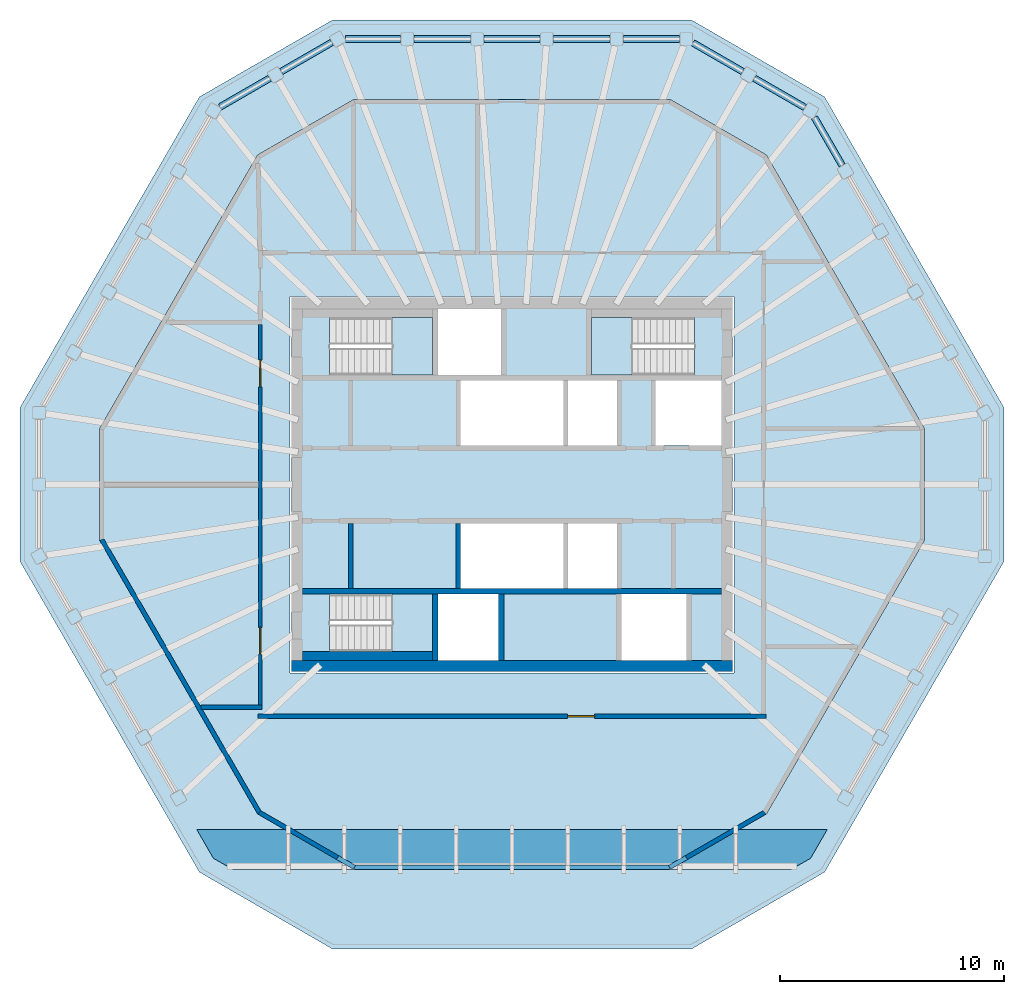
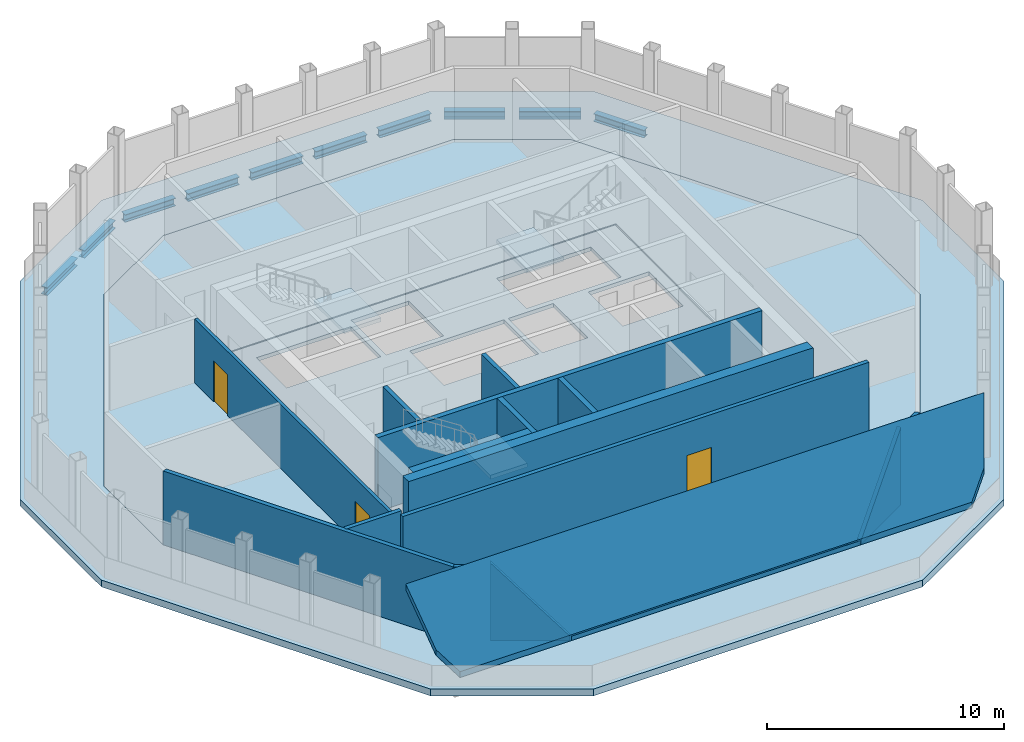
# One storey, part 2 of 5: 16 walls, 10 beams, 7 slabs, 3 doors, 3 openings, 3 elements without a shape of their own.
"""IFC4 building model written with IfcOpenShell, lengths in metres."""

from ifc_helpers import new_model, si_unit, direction, frame, frame_2d, origin, origin_2d, place, context, subcontext, project, spatial, polyline, rectangle, i_section, outline, extrude, material, layer, layer_set, material_profile, profile_set, type_object, element, fill, aggregate, save


model = new_model("IFC4")

# Units and contexts
model_context = context("Model", 3, precision=1e-05, world=origin(), true_north=direction((0.0, 1.0)))
body_context = subcontext(model_context, "Body", "Model", "MODEL_VIEW")
ifc_project = project(units=[si_unit("LENGTHUNIT", "METRE"), si_unit("AREAUNIT", "SQUARE_METRE"), si_unit("VOLUMEUNIT", "CUBIC_METRE"), si_unit("PLANEANGLEUNIT", "RADIAN"), si_unit("MASSUNIT", "GRAM", prefix="KILO")], contexts=[model_context])

# Site, building, storey
site_placement = place(None, origin())
site = spatial("IfcSite", under=ifc_project, at=site_placement, CompositionType="ELEMENT")
building_placement = place(site_placement, origin())
building = spatial("IfcBuilding", under=site, at=building_placement, Name="Frailejon Research Tower", CompositionType="ELEMENT")
storey_placement = place(building_placement, frame((0.0, 0.0, 344.60009765625)))
storey = spatial("IfcBuildingStorey", under=building, at=storey_placement, Name="L77", CompositionType="ELEMENT", Elevation=344.60009765625)

# Beams
ifc_material_1 = material(Name="Steel S355", Category="steel")
ifc_material_profile = material_profile(ifc_material_1, i_section(OverallWidth=0.300048828125, OverallDepth=0.39990234375, WebThickness=0.013427734375, FlangeThickness=0.02392578125, FilletRadius=0.027099609375, at=origin_2d()), Name="HE 400 B")
ifc_profile_set = profile_set([ifc_material_profile], Name="Steel S355")
beam_type = type_object("IfcBeamType", Name="Crown ring beam", PredefinedType="BEAM", material=ifc_profile_set)
beam_1_placement = place(storey_placement, frame((14.747802734375, 14.256103515625, -0.550048828125), z_axis=(-0.500053484023, 0.865994522568, 0.0), x_axis=(-0.865994522568, -0.500053484023, 0.0)))
element("IfcBeam", 1, at=beam_1_placement, inside=storey, type_object=beam_type, Name="Crown ring beam", PredefinedType="BEAM", context=body_context, shape_type="SweptSolid", body=[
    extrude(i_section(OverallWidth=0.300048828125, OverallDepth=0.39990234375, WebThickness=0.013427734375, FlangeThickness=0.02392578125, FilletRadius=0.027099609375, at=origin_2d()), origin(), (0.0, 0.0, 1.0), 2.468505859375),
])
beam_2_placement = place(storey_placement, frame((13.08056640625, 16.843994140625, -0.550048828125), z_axis=(-0.866049872286, 0.499957616916, 0.0), x_axis=(-0.499957616916, -0.866049872286, 0.0)))
element("IfcBeam", 2, at=beam_2_placement, inside=storey, type_object=beam_type, Name="Crown ring beam", PredefinedType="BEAM", context=body_context, shape_type="SweptSolid", body=[
    extrude(i_section(OverallWidth=0.300048828125, OverallDepth=0.39990234375, WebThickness=0.013427734375, FlangeThickness=0.02392578125, FilletRadius=0.027099609375, at=origin_2d()), origin(), (0.0, 0.0, 1.0), 2.606201171875),
])
beam_3_placement = place(storey_placement, frame((10.303955078125, 18.447021484375, -0.550048828125), z_axis=(-0.866039463868, 0.499975646431, 0.0), x_axis=(-0.499975646431, -0.866039463868, 0.0)))
element("IfcBeam", 3, at=beam_3_placement, inside=storey, type_object=beam_type, Name="Crown ring beam", PredefinedType="BEAM", context=body_context, shape_type="SweptSolid", body=[
    extrude(i_section(OverallWidth=0.300048828125, OverallDepth=0.39990234375, WebThickness=0.013427734375, FlangeThickness=0.02392578125, FilletRadius=0.027099609375, at=origin_2d()), origin(), (0.0, 0.0, 1.0), 2.559814453125),
])
for number, where, z_axis, x_axis, name in (
    (4, (7.4873046875, 19.89990234375, -0.550048828125), (-1.0, 0.0, 0.0), (0.0, -1.0, 0.0), "Crown ring beam"),
    (5, (4.372314453125, 19.89990234375, -0.550048828125), (-1.0, 0.0, 0.0), (0.0, -1.0, 0.0), "Crown ring beam"),
):
    element("IfcBeam", number, at=place(storey_placement, frame(where, z_axis=z_axis, x_axis=x_axis)), inside=storey, type_object=beam_type, Name=name, PredefinedType="BEAM", context=body_context, shape_type="SweptSolid", body=[
        extrude(i_section(OverallWidth=0.300048828125, OverallDepth=0.39990234375, WebThickness=0.013427734375, FlangeThickness=0.02392578125, FilletRadius=0.027099609375, at=origin_2d()), origin(), (0.0, 0.0, 1.0), 2.514892578125),
    ])
beam_4_placement = place(storey_placement, frame((1.25732421875, 19.89990234375, -0.550048828125), z_axis=(-1.0, 0.0, 0.0), x_axis=(0.0, -1.0, 0.0)))
element("IfcBeam", 6, at=beam_4_placement, inside=storey, type_object=beam_type, Name="Crown ring beam", PredefinedType="BEAM", context=body_context, shape_type="SweptSolid", body=[
    extrude(i_section(OverallWidth=0.300048828125, OverallDepth=0.39990234375, WebThickness=0.013427734375, FlangeThickness=0.02392578125, FilletRadius=0.027099609375, at=origin_2d()), origin(), (0.0, 0.0, 1.0), 2.5146484375),
])
beam_5_placement = place(storey_placement, frame((-1.857421875, 19.89990234375, -0.550048828125), z_axis=(-1.0, 0.0, 0.0), x_axis=(0.0, -1.0, 0.0)))
element("IfcBeam", 7, at=beam_5_placement, inside=storey, type_object=beam_type, Name="Crown ring beam", PredefinedType="BEAM", context=body_context, shape_type="SweptSolid", body=[
    extrude(i_section(OverallWidth=0.300048828125, OverallDepth=0.39990234375, WebThickness=0.013427734375, FlangeThickness=0.02392578125, FilletRadius=0.027099609375, at=origin_2d()), origin(), (0.0, 0.0, 1.0), 2.514892578125),
])
beam_6_placement = place(storey_placement, frame((-4.972412109375, 19.89990234375, -0.550048828125), z_axis=(-1.0, 0.0, 0.0), x_axis=(0.0, -1.0, 0.0)))
element("IfcBeam", 8, at=beam_6_placement, inside=storey, type_object=beam_type, Name="Crown ring beam", PredefinedType="BEAM", context=body_context, shape_type="SweptSolid", body=[
    extrude(i_section(OverallWidth=0.300048828125, OverallDepth=0.39990234375, WebThickness=0.013427734375, FlangeThickness=0.02392578125, FilletRadius=0.027099609375, at=origin_2d()), origin(), (0.0, 0.0, 1.0), 2.468505859375),
])
beam_7_placement = place(storey_placement, frame((-8.047119140625, 19.75, -0.550048828125), z_axis=(-0.866026453994, -0.499998180979, 0.0), x_axis=(0.499998180979, -0.866026453994, 0.0)))
element("IfcBeam", 9, at=beam_7_placement, inside=storey, type_object=beam_type, Name="Crown ring beam", PredefinedType="BEAM", context=body_context, shape_type="SweptSolid", body=[
    extrude(i_section(OverallWidth=0.300048828125, OverallDepth=0.39990234375, WebThickness=0.013427734375, FlangeThickness=0.02392578125, FilletRadius=0.027099609375, at=origin_2d()), origin(), (0.0, 0.0, 1.0), 2.60595703125),
])
beam_8_placement = place(storey_placement, frame((-10.823486328125, 18.14697265625, -0.550048828125), z_axis=(-0.866039463868, -0.499975646431, 0.0), x_axis=(0.499975646431, -0.866039463868, 0.0)))
element("IfcBeam", 10, at=beam_8_placement, inside=storey, type_object=beam_type, Name="Crown ring beam", PredefinedType="BEAM", context=body_context, shape_type="SweptSolid", body=[
    extrude(i_section(OverallWidth=0.300048828125, OverallDepth=0.39990234375, WebThickness=0.013427734375, FlangeThickness=0.02392578125, FilletRadius=0.027099609375, at=origin_2d()), origin(), (0.0, 0.0, 1.0), 2.559814453125),
])

# Slabs
ifc_material_2 = material(Name="Concrete C50/60", Category="concrete")
ifc_layer_1 = layer(ifc_material_2, 0.199951171875)
ifc_layer_set_1 = layer_set([ifc_layer_1], Name="Core floor slab 200 C50/60")
slab_type_1 = type_object("IfcSlabType", Name="Core floor slab 200 C50/60", PredefinedType="FLOOR", material=ifc_layer_set_1)
slab_1_placement = place(storey_placement, frame((0.0, 0.0, -0.2001953125)))
element("IfcSlab", 11, at=slab_1_placement, inside=storey, type_object=slab_type_1, Name="Core floor slab", PredefinedType="FLOOR", context=body_context, shape_type="SweptSolid", body=[
    extrude(outline(polyline([(9.85009765625, -8.35009765625), (9.85009765625, 8.35009765625), (-9.85009765625, 8.35009765625), (-9.85009765625, -8.35009765625), (9.85009765625, -8.35009765625)]), holes=[polyline([(2.300048828125, 1.75), (2.300048828125, 4.64990234375), (-2.300048828125, 4.64990234375), (-2.300048828125, 1.75), (2.300048828125, 1.75)]), polyline([(4.699951171875, 1.75), (4.699951171875, 4.64990234375), (2.5, 4.64990234375), (2.5, 1.75), (4.699951171875, 1.75)]), polyline([(9.35009765625, 1.75), (9.35009765625, 4.64990234375), (6.39990234375, 4.64990234375), (6.39990234375, 1.75), (9.35009765625, 1.75)]), polyline([(2.300048828125, -4.64990234375), (2.300048828125, -1.75), (-2.300048828125, -1.75), (-2.300048828125, -4.64990234375), (2.300048828125, -4.64990234375)]), polyline([(4.699951171875, -4.64990234375), (4.699951171875, -1.75), (2.5, -1.75), (2.5, -4.64990234375), (4.699951171875, -4.64990234375)]), polyline([(-8.14697265625, 4.89990234375), (-3.550048828125, 4.89990234375), (-3.550048828125, 7.449951171875), (-8.14697265625, 7.449951171875), (-8.14697265625, 4.89990234375)]), polyline([(-8.14697265625, -7.449951171875), (-3.550048828125, -7.449951171875), (-3.550048828125, -4.89990234375), (-8.14697265625, -4.89990234375), (-8.14697265625, -7.449951171875)]), polyline([(8.14697265625, 7.449951171875), (3.550048828125, 7.449951171875), (3.550048828125, 4.89990234375), (8.14697265625, 4.89990234375), (8.14697265625, 7.449951171875)]), polyline([(-0.60009765625, -7.85009765625), (-0.60009765625, -4.89990234375), (-3.300048828125, -4.89990234375), (-3.300048828125, -7.85009765625), (-0.60009765625, -7.85009765625)]), polyline([(7.800048828125, -7.85009765625), (7.800048828125, -4.89990234375), (4.89990234375, -4.89990234375), (4.89990234375, -7.85009765625), (7.800048828125, -7.85009765625)]), polyline([(-0.5, 4.89990234375), (-0.5, 7.85009765625), (-3.300048828125, 7.85009765625), (-3.300048828125, 4.89990234375), (-0.5, 4.89990234375)])]), origin(), (0.0, 0.0, 1.0), 0.2001953125),
])
ifc_material_3 = material(Name="Safety glass roof panel on steel frame", Category="steel")
ifc_layer_2 = layer(ifc_material_3, 0.300048828125)
ifc_layer_set_2 = layer_set([ifc_layer_2], Name="Crown glazed roof facet 300")
slab_type_2 = type_object("IfcSlabType", Name="Crown glazed roof facet 300", PredefinedType="ROOF", material=ifc_layer_set_2)
slab_2_placement = place(storey_placement, frame((-13.34033203125, -16.69384765625, 1.136474609375), z_axis=(0.0, -0.913559234473, 0.406705698397), x_axis=(-0.228620103792, 0.395934388935, 0.889364271714)))
element("IfcSlab", 12, at=slab_2_placement, inside=storey, type_object=slab_type_2, Name="Crown glazed roof facet 1", PredefinedType="ROOF", context=body_context, shape_type="SweptSolid", body=[
    extrude(outline(polyline([(0.0, 0.0), (3.219681787229556, -1.1102230246251565e-16), (-3.216621593805513, -27.40722441559985), (-6.099736187219561, -25.974045762304783), (-7.1104824031556255, -24.836373579906052), (-1.4115011830331368, -0.5688324163837855), (0.0, 0.0)])), origin(), (0.889364271714, -0.208858007006, 0.406705698397), 0.300048828125),
])
ifc_material_4 = material(Name="Concrete C30/37", Category="concrete")
ifc_layer_3 = layer(ifc_material_4, 0.199951171875)
ifc_layer_set_3 = layer_set([ifc_layer_3], Name="Crown slab 200")
slab_type_3 = type_object("IfcSlabType", Name="Crown slab 200", PredefinedType="FLOOR", material=ifc_layer_set_3)
slab_3_placement = place(storey_placement, frame((0.0, 0.0, -0.2001953125)))
element("IfcSlab", 13, at=slab_3_placement, inside=storey, type_object=slab_type_3, Name="Floor slab L77", PredefinedType="FLOOR", context=body_context, shape_type="SweptSolid", body=[
    extrude(outline(polyline([(11.36376953125, -14.71728515625), (18.427490234375, -2.482666015625), (18.427490234375, 2.482666015625), (11.36376953125, 14.71728515625), (7.063720703125, 17.199951171875), (-7.063720703125, 17.199951171875), (-11.36376953125, 14.71728515625), (-18.427490234375, 2.482666015625), (-18.427490234375, -2.482666015625), (-11.36376953125, -14.71728515625), (-7.063720703125, -17.199951171875), (7.063720703125, -17.199951171875), (11.36376953125, -14.71728515625)]), holes=[polyline([(9.909912109375, -8.409912109375), (-9.909912109375, -8.409912109375), (-9.909912109375, 8.409912109375), (9.909912109375, 8.409912109375), (9.909912109375, -8.409912109375)])]), origin(), (0.0, 0.0, 1.0), 0.2001953125),
])
ifc_material_5 = material(Name="Concrete C40/50", Category="concrete")
ifc_layer_4 = layer(ifc_material_5, 0.35009765625)
ifc_layer_set_4 = layer_set([ifc_layer_4], Name="Plant gallery slab 350")
slab_type_4 = type_object("IfcSlabType", Name="Plant gallery slab 350", PredefinedType="FLOOR", material=ifc_layer_set_4)
slab_4_placement = place(storey_placement, frame((0.0, 0.0, -0.35009765625)))
element("IfcSlab", 14, at=slab_4_placement, inside=storey, type_object=slab_type_4, Name="Plant gallery slab L77", PredefinedType="FLOOR", context=body_context, shape_type="SweptSolid", body=[
    extrude(outline(polyline([(13.96240234375, -17.316162109375), (8.014892578125, -20.75), (-8.014892578125, -20.75), (-13.96240234375, -17.316162109375), (-21.9775390625, -3.433837890625), (-21.9775390625, 3.433837890625), (-13.96240234375, 17.316162109375), (-8.014892578125, 20.75), (8.014892578125, 20.75), (13.96240234375, 17.316162109375), (21.9775390625, 3.433837890625), (21.9775390625, -3.433837890625), (13.96240234375, -17.316162109375)]), holes=[polyline([(18.427490234375, 2.482666015625), (11.36376953125, 14.71728515625), (7.063720703125, 17.199951171875), (-7.063720703125, 17.199951171875), (-11.36376953125, 14.71728515625), (-18.427490234375, 2.482666015625), (-18.427490234375, -2.482666015625), (-11.36376953125, -14.71728515625), (-7.063720703125, -17.199951171875), (7.063720703125, -17.199951171875), (11.36376953125, -14.71728515625), (18.427490234375, -2.482666015625), (18.427490234375, 2.482666015625)])]), origin(), (0.0, 0.0, 1.0), 0.35009765625),
])

# Stair, slab
ifc_material_6 = material(Name="Concrete C50/60", Category="concrete")
stair_type = type_object("IfcStairType", Name="Exit stair 22 risers", PredefinedType="HALF_TURN_STAIR", material=ifc_material_6)
stair_1_placement = place(storey_placement, origin())
stair_1 = element("IfcStair", 15, at=stair_1_placement, inside=storey, type_object=stair_type, Name="L77 Exit stair ST1", PredefinedType="HALF_TURN_STAIR")
ifc_material_7 = material(Name="Concrete C50/60", Category="concrete")
ifc_layer_5 = layer(ifc_material_7, 0.199951171875)
ifc_layer_set_5 = layer_set([ifc_layer_5], Name="Stair landing slab 200")
slab_type_5 = type_object("IfcSlabType", Name="Stair landing slab 200", PredefinedType="LANDING", material=ifc_layer_set_5)
slab_5_placement = place(storey_placement, frame((0.0, 0.0, 1.7998046875)))
slab_5 = element("IfcSlab", 16, at=slab_5_placement, type_object=slab_type_5, Name="ST1 landing 1", PredefinedType="LANDING", context=body_context, shape_type="SweptSolid", body=[
    extrude(outline(polyline([(-5.35009765625, 4.89990234375), (-3.550048828125, 4.89990234375), (-3.550048828125, 7.449951171875), (-5.35009765625, 7.449951171875), (-5.35009765625, 4.89990234375)])), origin(), (0.0, 0.0, 1.0), 0.2001953125),
])
aggregate(stair_1, [slab_5])

stair_2_placement = place(storey_placement, origin())
stair_2 = element("IfcStair", 17, at=stair_2_placement, inside=storey, type_object=stair_type, Name="L77 Exit stair ST2", PredefinedType="HALF_TURN_STAIR")
slab_6_placement = place(storey_placement, frame((0.0, 0.0, 1.7998046875)))
slab_6 = element("IfcSlab", 18, at=slab_6_placement, type_object=slab_type_5, Name="ST2 landing 1", PredefinedType="LANDING", context=body_context, shape_type="SweptSolid", body=[
    extrude(outline(polyline([(-5.35009765625, -7.449951171875), (-3.550048828125, -7.449951171875), (-3.550048828125, -4.89990234375), (-5.35009765625, -4.89990234375), (-5.35009765625, -7.449951171875)])), origin(), (0.0, 0.0, 1.0), 0.2001953125),
])
aggregate(stair_2, [slab_6])

stair_3_placement = place(storey_placement, origin())
stair_3 = element("IfcStair", 19, at=stair_3_placement, inside=storey, type_object=stair_type, Name="L77 Exit stair ST3", PredefinedType="HALF_TURN_STAIR")
slab_7_placement = place(storey_placement, frame((0.0, 0.0, 1.7998046875)))
slab_7 = element("IfcSlab", 20, at=slab_7_placement, type_object=slab_type_5, Name="ST3 landing 1", PredefinedType="LANDING", context=body_context, shape_type="SweptSolid", body=[
    extrude(outline(polyline([(5.35009765625, 7.449951171875), (3.550048828125, 7.449951171875), (3.550048828125, 4.89990234375), (5.35009765625, 4.89990234375), (5.35009765625, 7.449951171875)])), origin(), (0.0, 0.0, 1.0), 0.2001953125),
])
aggregate(stair_3, [slab_7])

# Wall
ifc_material_8 = material(Name="Concrete C50/60", Category="concrete")
ifc_layer_6 = layer(ifc_material_8, 0.5)
ifc_layer_set_6 = layer_set([ifc_layer_6], Name="Core shear wall 500 C50/60")
wall_type_1 = type_object("IfcWallType", Name="Core shear wall 500 C50/60", PredefinedType="SHEAR", material=ifc_layer_set_6)
wall_1_placement = place(storey_placement, frame((-9.85009765625, -8.10009765625, 0.0), z_axis=(0.0, 0.0, 1.0), x_axis=(1.0, 0.0, 0.0)))
element("IfcWall", 21, at=wall_1_placement, inside=storey, type_object=wall_type_1, Name="Core shear wall", PredefinedType="SHEAR", context=body_context, shape_type="SweptSolid", body=[
    extrude(rectangle(XDim=19.7001953125, YDim=0.5, at=frame_2d((9.85009765625, 0.0))), origin(), (0.0, 0.0, 1.0), 3.7998046875),
])

# Wall, openings, doors
ifc_material_9 = material(Name="Gypsum board and masonry partition", Category="masonry")
ifc_layer_7 = layer(ifc_material_9, 0.14990234375)
ifc_layer_set_7 = layer_set([ifc_layer_7], Name="Corridor wall EI 60, gypsum on steel studs 150")
wall_type_2 = type_object("IfcWallType", Name="Corridor wall EI 60, gypsum on steel studs 150", PredefinedType="PARTITIONING", material=ifc_layer_set_7)
wall_2_placement = place(storey_placement, frame((-11.25, -9.848876953125, 0.0), z_axis=(0.0, 0.0, 1.0), x_axis=(0.0, 1.0, 0.0)))
wall_2 = element("IfcWall", 22, at=wall_2_placement, inside=storey, type_object=wall_type_2, Name="T:IW:L77:003", PredefinedType="PARTITIONING", context=body_context, shape_type="SweptSolid", body=[
    extrude(rectangle(XDim=17.0, YDim=0.14990234375, at=frame_2d((8.5, 0.0))), origin(), (0.0, 0.0, 1.0), 3.2998046875),
])
opening_1_placement = place(wall_2_placement, frame((14.212158203125, 0.0, 0.0)))
opening_1 = element("IfcOpeningElement", 23, at=opening_1_placement, cuts=wall_2, Name="Opening D1168", PredefinedType="OPENING", context=body_context, shape_type="SweptSolid", body=[
    extrude(rectangle(XDim=1.199951171875, YDim=2.10009765625, at=frame_2d((0.60009765625, 1.050048828125))), frame((0.0, 0.0849609375, 0.0), z_axis=(0.0, -1.0, 0.0), x_axis=(1.0, 0.0, 0.0)), (0.0, 0.0, 1.0), 0.169921875),
])
opening_2_placement = place(wall_2_placement, frame((2.26220703125, 0.0, 0.0)))
opening_2 = element("IfcOpeningElement", 24, at=opening_2_placement, cuts=wall_2, Name="Opening D1169", PredefinedType="OPENING", context=body_context, shape_type="SweptSolid", body=[
    extrude(rectangle(XDim=1.199951171875, YDim=2.10009765625, at=frame_2d((0.60009765625, 1.050048828125))), frame((0.0, 0.0849609375, 0.0), z_axis=(0.0, -1.0, 0.0), x_axis=(1.0, 0.0, 0.0)), (0.0, 0.0, 1.0), 0.169921875),
])
ifc_material_10 = material(Name="Steel door leaf", Category="steel")
door_type_1 = type_object("IfcDoorType", Name="Door plant room, steel 1200", OperationType="NOTDEFINED", PredefinedType="DOOR", material=ifc_material_10)
door_1_placement = place(opening_2_placement, origin())
door_1 = element("IfcDoor", 25, at=door_1_placement, inside=storey, type_object=door_type_1, Name="D1169", OperationType="DOUBLE_DOOR_SINGLE_SWING", OverallHeight=2.10009765625, OverallWidth=1.199951171875, PredefinedType="DOOR", context=body_context, shape_type="SweptSolid", body=[
    extrude(rectangle(XDim=1.199951171875, YDim=2.10009765625, at=frame_2d((0.60009765625, 1.050048828125))), frame((0.0, 0.02490234375, 0.0), z_axis=(0.0, -1.0, 0.0), x_axis=(1.0, 0.0, 0.0)), (0.0, 0.0, 1.0), 0.050048828125),
])
fill(opening_2, door_1)
ifc_material_11 = material(Name="Timber door leaf", Category="wood")
door_type_2 = type_object("IfcDoorType", Name="Door single leaf, timber, steel frame 1200", OperationType="NOTDEFINED", PredefinedType="DOOR", material=ifc_material_11)
door_2_placement = place(opening_1_placement, origin())
door_2 = element("IfcDoor", 26, at=door_2_placement, inside=storey, type_object=door_type_2, Name="D1168", OperationType="DOUBLE_DOOR_SINGLE_SWING", OverallHeight=2.10009765625, OverallWidth=1.199951171875, PredefinedType="DOOR", context=body_context, shape_type="SweptSolid", body=[
    extrude(rectangle(XDim=1.199951171875, YDim=2.10009765625, at=frame_2d((0.60009765625, 1.050048828125))), frame((0.0, 0.02490234375, 0.0), z_axis=(0.0, -1.0, 0.0), x_axis=(1.0, 0.0, 0.0)), (0.0, 0.0, 1.0), 0.050048828125),
])
fill(opening_1, door_2)

# Walls
ifc_material_12 = material(Name="Aluminium louvre cladding panel", Category="aluminium")
ifc_layer_8 = layer(ifc_material_12, 0.199951171875)
ifc_layer_set_8 = layer_set([ifc_layer_8], Name="Crown louvred wall 200")
wall_type_3 = type_object("IfcWallType", Name="Crown louvred wall 200", PredefinedType="SOLIDWALL", material=ifc_layer_set_8)
wall_3_placement = place(storey_placement, frame((-18.327392578125, -2.455810546875, 0.0), z_axis=(0.0, 0.0, 1.0), x_axis=(0.499991740577, -0.866030172312, 0.0)))
element("IfcWall", 27, at=wall_3_placement, inside=storey, type_object=wall_type_3, Name="Crown louvred wall L77", PredefinedType="SOLIDWALL", context=body_context, shape_type="SweptSolid", body=[
    extrude(outline(polyline([(-0.02685546875, -0.10009765625), (14.100830078125, -0.10009765625), (14.047119140625, 0.10009765625), (0.02685546875, 0.10009765625), (-0.02685546875, -0.10009765625)])), origin(), (0.0, 0.0, 1.0), 3.7998046875),
])
wall_4_placement = place(storey_placement, frame((-11.29052734375, -14.644287109375, 0.0), z_axis=(0.0, 0.0, 1.0), x_axis=(0.866004557827, -0.500036104519, 0.0)))
element("IfcWall", 28, at=wall_4_placement, inside=storey, type_object=wall_type_3, Name="Crown louvred wall L77", PredefinedType="SOLIDWALL", context=body_context, shape_type="SweptSolid", body=[
    extrude(outline(polyline([(-0.02685546875, -0.10009765625), (1.5498046875, -0.10009765625), (1.5498046875, 0.10009765625), (0.02685546875, 0.10009765625), (-0.02685546875, -0.10009765625)])), origin(), (0.0, 0.0, 1.0), 3.7998046875),
])
wall_5_placement = place(storey_placement, frame((-9.948486328125, -15.419189453125, 0.0), z_axis=(0.0, 0.0, 1.0), x_axis=(0.866022320763, -0.500005339912, 0.0)))
element("IfcWall", 29, at=wall_5_placement, inside=storey, type_object=wall_type_3, Name="Crown louvred wall L77", PredefinedType="SOLIDWALL", context=body_context, shape_type="SweptSolid", body=[
    extrude(outline(polyline([(0.0, 0.0), (3.36181640625, 0.0), (3.36181640625, 0.224609375), (0.0, 4.0), (0.0, 0.0)])), frame((0.0, 0.10009765625, 0.0), z_axis=(0.0, -1.0, 0.0), x_axis=(1.0, 0.0, 0.0)), (0.0, 0.0, 1.0), 0.199951171875),
])
wall_6_placement = place(storey_placement, frame((-7.037109375, -17.10009765625, 0.0), z_axis=(0.0, 0.0, 1.0), x_axis=(1.0, 0.0, 0.0)))
element("IfcWall", 30, at=wall_6_placement, inside=storey, type_object=wall_type_3, Name="Crown louvred wall L77", PredefinedType="SOLIDWALL", context=body_context, shape_type="SweptSolid", body=[
    extrude(outline(polyline([(0.0, 0.0), (14.07421875, 0.0), (14.073974609375, 0.224609375), (0.0, 0.224609375), (0.0, 0.0)])), frame((0.0, 0.10009765625, 0.0), z_axis=(0.0, -1.0, 0.0), x_axis=(1.0, 0.0, 0.0)), (0.0, 0.0, 1.0), 0.199951171875),
])
wall_7_placement = place(storey_placement, frame((7.037109375, -17.10009765625, 0.0), z_axis=(0.0, 0.0, 1.0), x_axis=(0.866022320763, 0.500005339912, 0.0)))
element("IfcWall", 31, at=wall_7_placement, inside=storey, type_object=wall_type_3, Name="Crown louvred wall L77", PredefinedType="SOLIDWALL", context=body_context, shape_type="SweptSolid", body=[
    extrude(outline(polyline([(0.0, 0.0), (3.36181640625, 0.0), (3.36181640625, 4.0), (0.0, 0.224609375), (0.0, 0.0)])), frame((0.0, 0.10009765625, 0.0), z_axis=(0.0, -1.0, 0.0), x_axis=(1.0, 0.0, 0.0)), (0.0, 0.0, 1.0), 0.199951171875),
])
wall_8_placement = place(storey_placement, frame((9.948486328125, -15.419189453125, 0.0), z_axis=(0.0, 0.0, 1.0), x_axis=(0.866004557827, 0.500036104519, 0.0)))
element("IfcWall", 32, at=wall_8_placement, inside=storey, type_object=wall_type_3, Name="Crown louvred wall L77", PredefinedType="SOLIDWALL", context=body_context, shape_type="SweptSolid", body=[
    extrude(outline(polyline([(0.0, -0.10009765625), (1.57666015625, -0.10009765625), (1.52294921875, 0.10009765625), (0.0, 0.10009765625), (0.0, -0.10009765625)])), origin(), (0.0, 0.0, 1.0), 3.7998046875),
])

# Wall, opening, door
ifc_material_13 = material(Name="Gypsum board and masonry partition", Category="masonry")
ifc_layer_9 = layer(ifc_material_13, 0.199951171875)
ifc_layer_set_9 = layer_set([ifc_layer_9], Name="Plant enclosure wall, blockwork 200")
wall_type_4 = type_object("IfcWallType", Name="Plant enclosure wall, blockwork 200", PredefinedType="PARTITIONING", material=ifc_layer_set_9)
wall_9_placement = place(storey_placement, frame((-11.35009765625, -10.35009765625, 0.0), z_axis=(0.0, 0.0, 1.0), x_axis=(1.0, 0.0, 0.0)))
wall_9 = element("IfcWall", 33, at=wall_9_placement, inside=storey, type_object=wall_type_4, Name="T:IW:L77:007", PredefinedType="PARTITIONING", context=body_context, shape_type="SweptSolid", body=[
    extrude(rectangle(XDim=22.7001953125, YDim=0.199951171875, at=frame_2d((11.35009765625, 0.0))), origin(), (0.0, 0.0, 1.0), 3.7998046875),
])
opening_3_placement = place(wall_9_placement, frame((13.840087890625, 0.0, 0.0)))
opening_3 = element("IfcOpeningElement", 34, at=opening_3_placement, cuts=wall_9, Name="Opening D1170", PredefinedType="OPENING", context=body_context, shape_type="SweptSolid", body=[
    extrude(rectangle(XDim=1.199951171875, YDim=2.10009765625, at=frame_2d((0.60009765625, 1.050048828125))), frame((0.0, 0.10986328125, 0.0), z_axis=(0.0, -1.0, 0.0), x_axis=(1.0, 0.0, 0.0)), (0.0, 0.0, 1.0), 0.219970703125),
])
door_3_placement = place(opening_3_placement, origin())
door_3 = element("IfcDoor", 35, at=door_3_placement, inside=storey, type_object=door_type_1, Name="D1170", OperationType="DOUBLE_DOOR_SINGLE_SWING", OverallHeight=2.10009765625, OverallWidth=1.199951171875, PredefinedType="DOOR", context=body_context, shape_type="SweptSolid", body=[
    extrude(rectangle(XDim=1.199951171875, YDim=2.10009765625, at=frame_2d((0.60009765625, 1.050048828125))), frame((0.0, 0.02490234375, 0.0), z_axis=(0.0, -1.0, 0.0), x_axis=(1.0, 0.0, 0.0)), (0.0, 0.0, 1.0), 0.050048828125),
])
fill(opening_3, door_3)

# Walls
wall_10_placement = place(storey_placement, frame((-13.885986328125, -9.94873046875, 0.0), z_axis=(0.0, 0.0, 1.0), x_axis=(1.0, 0.0, 0.0)))
element("IfcWall", 36, at=wall_10_placement, inside=storey, type_object=wall_type_4, Name="T:IW:L77:016", PredefinedType="PARTITIONING", context=body_context, shape_type="SweptSolid", body=[
    extrude(rectangle(XDim=2.7109375, YDim=0.199951171875, at=frame_2d((1.35546875, 0.0))), origin(), (0.0, 0.0, 1.0), 3.7998046875),
])
ifc_material_14 = material(Name="Concrete C50/60", Category="concrete")
ifc_layer_10 = layer(ifc_material_14, 0.199951171875)
ifc_layer_set_10 = layer_set([ifc_layer_10], Name="Shaft wall 200 C50/60")
wall_type_5 = type_object("IfcWallType", Name="Shaft wall 200 C50/60", PredefinedType="SOLIDWALL", material=ifc_layer_set_10)
for number, where, z_axis, x_axis, name in (
    (37, (-7.199951171875, -4.64990234375, 0.0), (0.0, 0.0, 1.0), (0.0, 1.0, 0.0), "Shaft wall"),
    (38, (-2.39990234375, -4.64990234375, 0.0), (0.0, 0.0, 1.0), (0.0, 1.0, 0.0), "Shaft wall"),
):
    element("IfcWall", number, at=place(storey_placement, frame(where, z_axis=z_axis, x_axis=x_axis)), inside=storey, type_object=wall_type_5, Name=name, PredefinedType="SOLIDWALL", context=body_context, shape_type="SweptSolid", body=[
        extrude(rectangle(XDim=2.89990234375, YDim=0.199951171875, at=frame_2d((1.449951171875, 0.0))), origin(), (0.0, 0.0, 1.0), 3.7998046875),
    ])
ifc_material_15 = material(Name="Concrete C50/60", Category="concrete")
ifc_layer_11 = layer(ifc_material_15, 0.25)
ifc_layer_set_11 = layer_set([ifc_layer_11], Name="Shaft wall 250 C50/60")
wall_type_6 = type_object("IfcWallType", Name="Shaft wall 250 C50/60", PredefinedType="SOLIDWALL", material=ifc_layer_set_11)
wall_11_placement = place(storey_placement, frame((-9.35009765625, -4.77490234375, 0.0), z_axis=(0.0, 0.0, 1.0), x_axis=(1.0, 0.0, 0.0)))
element("IfcWall", 39, at=wall_11_placement, inside=storey, type_object=wall_type_6, Name="Shaft wall", PredefinedType="SOLIDWALL", context=body_context, shape_type="SweptSolid", body=[
    extrude(rectangle(XDim=18.7001953125, YDim=0.25, at=frame_2d((9.35009765625, 0.0))), origin(), (0.0, 0.0, 1.0), 3.7998046875),
])
for number, where, z_axis, x_axis, name in (
    (40, (-3.425048828125, -7.85009765625, 0.0), (0.0, 0.0, 1.0), (0.0, 1.0, 0.0), "Shaft wall"),
    (41, (-0.47509765625, -7.85009765625, 0.0), (0.0, 0.0, 1.0), (0.0, 1.0, 0.0), "Shaft wall"),
):
    element("IfcWall", number, at=place(storey_placement, frame(where, z_axis=z_axis, x_axis=x_axis)), inside=storey, type_object=wall_type_6, Name=name, PredefinedType="SOLIDWALL", context=body_context, shape_type="SweptSolid", body=[
        extrude(rectangle(XDim=2.9501953125, YDim=0.25, at=frame_2d((1.47509765625, 0.0))), origin(), (0.0, 0.0, 1.0), 3.7998046875),
    ])
ifc_material_16 = material(Name="Concrete C50/60", Category="concrete")
ifc_layer_12 = layer(ifc_material_16, 0.39990234375)
ifc_layer_set_12 = layer_set([ifc_layer_12], Name="Shaft wall 400 C50/60")
wall_type_7 = type_object("IfcWallType", Name="Shaft wall 400 C50/60", PredefinedType="SOLIDWALL", material=ifc_layer_set_12)
wall_12_placement = place(storey_placement, frame((-9.35009765625, -7.64990234375, 0.0), z_axis=(0.0, 0.0, 1.0), x_axis=(1.0, 0.0, 0.0)))
element("IfcWall", 42, at=wall_12_placement, inside=storey, type_object=wall_type_7, Name="Shaft wall", PredefinedType="SOLIDWALL", context=body_context, shape_type="SweptSolid", body=[
    extrude(rectangle(XDim=5.800048828125, YDim=0.39990234375, at=frame_2d((2.89990234375, 0.0))), origin(), (0.0, 0.0, 1.0), 3.7998046875),
])

save(model, "model.ifc")
